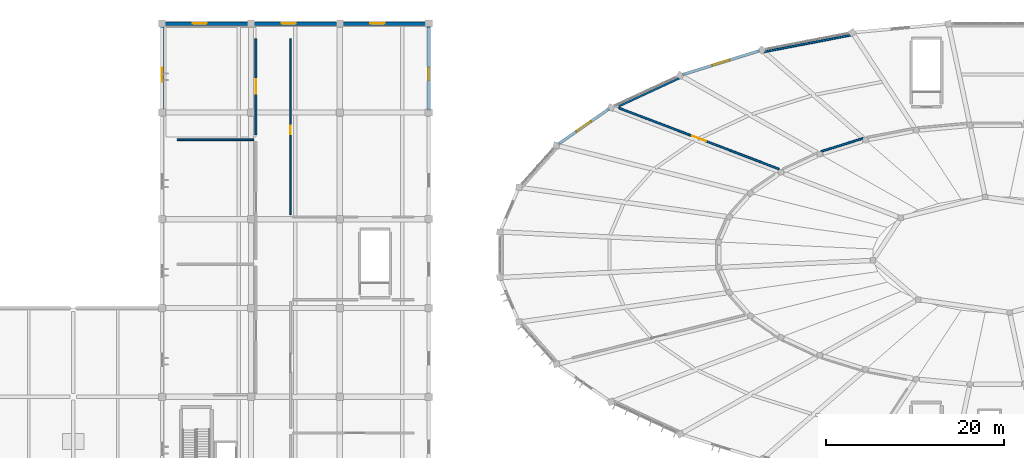
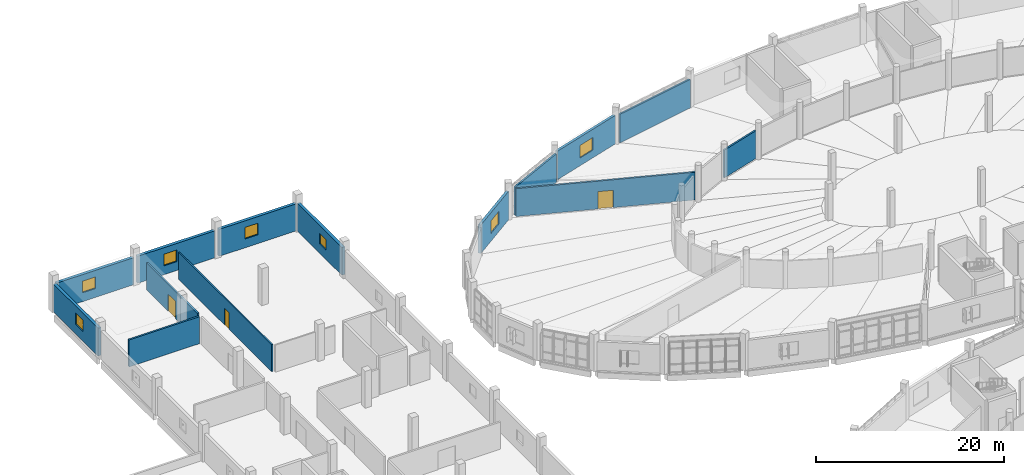
# One storey, part 130 of 179: 14 walls, 7 windows, 3 doors, 10 openings.
"""IFC4 building model written with IfcOpenShell, lengths in metres."""

from ifc_helpers import new_model, si_unit, direction, frame, frame_2d, origin, place, context, subcontext, project, spatial, rectangle, extrude, material, layer, layer_set, type_object, element, fill, save


model = new_model("IFC4")

# Units and contexts
model_context = context("Model", 3, precision=1e-05, world=origin(), true_north=direction((0.0, 1.0)))
body_context = subcontext(model_context, "Body", "Model", "MODEL_VIEW")
ifc_project = project(units=[si_unit("LENGTHUNIT", "METRE"), si_unit("AREAUNIT", "SQUARE_METRE"), si_unit("VOLUMEUNIT", "CUBIC_METRE"), si_unit("PLANEANGLEUNIT", "RADIAN"), si_unit("MASSUNIT", "GRAM", prefix="KILO")], contexts=[model_context])

# Site, building, storey
site_placement = place(None, origin())
site = spatial("IfcSite", under=ifc_project, at=site_placement, CompositionType="ELEMENT")
building_placement = place(site_placement, origin())
building = spatial("IfcBuilding", under=site, at=building_placement, Name="Corvandel Quay Wholesale Market", CompositionType="ELEMENT")
storey_placement = place(building_placement, frame((0.0, 0.0, 6.0)))
storey = spatial("IfcBuildingStorey", under=building, at=storey_placement, Name="L01", CompositionType="ELEMENT", Elevation=6.0)

# Walls
ifc_material_1 = material(Name="Gypsum-clad steel stud framing", Category="steel")
ifc_layer_1 = layer(ifc_material_1, 0.2099609375)
ifc_layer_set_1 = layer_set([ifc_layer_1], Name="Gypsum-clad steel stud framing")
wall_type_1 = type_object("IfcWallType", Name="Corridor Rated Partition PT02 210", PredefinedType="PARTITIONING", material=ifc_layer_set_1)
wall_1_placement = place(storey_placement, frame((87.7529296875, 138.82958984375, 0.0), z_axis=(0.0, 0.0, 1.0), x_axis=(0.982005217115, 0.188853788838, 0.0)))
element("IfcWall", 1, at=wall_1_placement, inside=storey, type_object=wall_type_1, Name="Interior Wall IW-0624", PredefinedType="PARTITIONING", context=body_context, shape_type="SweptSolid", body=[
    extrude(rectangle(XDim=9.91162109375, YDim=0.2099609375, at=frame_2d((4.955810546875, 0.0))), origin(), (0.0, 0.0, 1.0), 3.7099609375),
])
wall_2_placement = place(storey_placement, frame((98.885986328125, 129.093017578125, 0.0), z_axis=(0.0, 0.0, 1.0), x_axis=(-0.955151352883, -0.296118039108, 0.0)))
element("IfcWall", 2, at=wall_2_placement, inside=storey, type_object=wall_type_1, Name="Interior Wall IW-0629", PredefinedType="PARTITIONING", context=body_context, shape_type="SweptSolid", body=[
    extrude(rectangle(XDim=4.970703125, YDim=0.2099609375, at=frame_2d((2.4853515625, 0.0))), origin(), (0.0, 0.0, 1.0), 3.610107421875),
])

# Wall, opening, door
wall_3_placement = place(storey_placement, frame((89.42529296875, 125.641357421875, 0.0), z_axis=(0.0, 0.0, 1.0), x_axis=(-0.934448084308, 0.356099393054, 0.0)))
wall_3 = element("IfcWall", 3, at=wall_3_placement, inside=storey, type_object=wall_type_1, Name="Interior Wall IW-0631", PredefinedType="PARTITIONING", context=body_context, shape_type="SweptSolid", body=[
    extrude(rectangle(XDim=19.31591796875, YDim=0.2099609375, at=frame_2d((9.657958984375, 0.0))), origin(), (0.0, 0.0, 1.0), 3.610107421875),
])
opening_1_placement = place(wall_3_placement, frame((8.80810546875, 0.0, 0.0)))
opening_1 = element("IfcOpeningElement", 4, at=opening_1_placement, cuts=wall_3, Name="Opening L01-D041", PredefinedType="OPENING", context=body_context, shape_type="SweptSolid", body=[
    extrude(rectangle(XDim=1.64990234375, YDim=2.25, at=frame_2d((0.824951171875, 1.125))), frame((0.0, 0.114990234375, 0.0), z_axis=(0.0, -1.0, 0.0), x_axis=(1.0, 0.0, 0.0)), (0.0, 0.0, 1.0), 0.22998046875),
])
ifc_material_2 = material(Name="HPL-faced hygienic timber core", Category="wood")
door_type_1 = type_object("IfcDoorType", Name="Laboratory Double Door ID08 1650x2250", OperationType="DOUBLE_DOOR_SINGLE_SWING", PredefinedType="DOOR", material=ifc_material_2)
door_1_placement = place(opening_1_placement, origin())
door_1 = element("IfcDoor", 5, at=door_1_placement, inside=storey, type_object=door_type_1, Name="Phytosanitary Inspection Laboratory Door", OperationType="DOUBLE_DOOR_SINGLE_SWING", OverallHeight=2.25, OverallWidth=1.64990234375, PredefinedType="DOOR", context=body_context, shape_type="SweptSolid", body=[
    extrude(rectangle(XDim=1.64990234375, YDim=2.25, at=frame_2d((0.824951171875, 1.125))), frame((0.0, 0.02490234375, 0.0), z_axis=(0.0, -1.0, 0.0), x_axis=(1.0, 0.0, 0.0)), (0.0, 0.0, 1.0), 0.050048828125),
])
fill(opening_1, door_1)

# Wall
wall_4_placement = place(storey_placement, frame((71.369384765625, 132.690673828125, 0.0), z_axis=(0.0, 0.0, 1.0), x_axis=(0.907012507318, 0.421103682682, 0.0)))
element("IfcWall", 6, at=wall_4_placement, inside=storey, type_object=wall_type_1, Name="Interior Wall IW-0632", PredefinedType="PARTITIONING", context=body_context, shape_type="SweptSolid", body=[
    extrude(rectangle(XDim=7.527099609375, YDim=0.2099609375, at=frame_2d((3.763671875, 0.0))), origin(), (0.0, 0.0, 1.0), 3.7099609375),
])

# Wall, opening, door
wall_5_placement = place(storey_placement, frame((30.5400390625, 140.330078125, 0.0), z_axis=(0.0, 0.0, 1.0), x_axis=(0.0, -1.0, 0.0)))
wall_5 = element("IfcWall", 7, at=wall_5_placement, inside=storey, type_object=wall_type_1, Name="Interior Wall IW-0829", PredefinedType="PARTITIONING", context=body_context, shape_type="SweptSolid", body=[
    extrude(rectangle(XDim=10.85009765625, YDim=0.2099609375, at=frame_2d((5.425048828125, 0.0))), origin(), (0.0, 0.0, 1.0), 3.510009765625),
])
opening_2_placement = place(wall_5_placement, frame((4.574951171875, 0.0, 0.0)))
opening_2 = element("IfcOpeningElement", 8, at=opening_2_placement, cuts=wall_5, Name="Opening L01-D064", PredefinedType="OPENING", context=body_context, shape_type="SweptSolid", body=[
    extrude(rectangle(XDim=1.64990234375, YDim=2.25, at=frame_2d((0.824951171875, 1.125))), frame((0.0, 0.114990234375, 0.0), z_axis=(0.0, -1.0, 0.0), x_axis=(1.0, 0.0, 0.0)), (0.0, 0.0, 1.0), 0.22998046875),
])
door_2_placement = place(opening_2_placement, origin())
door_2 = element("IfcDoor", 9, at=door_2_placement, inside=storey, type_object=door_type_1, Name="Cold Chain Quality Control Lab V4 Door", OperationType="DOUBLE_DOOR_SINGLE_SWING", OverallHeight=2.25, OverallWidth=1.64990234375, PredefinedType="DOOR", context=body_context, shape_type="SweptSolid", body=[
    extrude(rectangle(XDim=1.64990234375, YDim=2.25, at=frame_2d((0.824951171875, 1.125))), frame((0.0, 0.02490234375, 0.0), z_axis=(0.0, -1.0, 0.0), x_axis=(1.0, 0.0, 0.0)), (0.0, 0.0, 1.0), 0.050048828125),
])
fill(opening_2, door_2)

# Wall, opening, window
ifc_material_3 = material(Name="Marine precast concrete C45/55", Category="concrete")
ifc_layer_2 = layer(ifc_material_3, 0.31005859375)
ifc_layer_set_2 = layer_set([ifc_layer_2], Name="Marine precast concrete C45/55")
wall_type_2 = type_object("IfcWallType", Name="Fish Hall Marine Precast Wall EW06 310", PredefinedType="SOLIDWALL", material=ifc_layer_set_2)
wall_6_placement = place(storey_placement, frame((87.244873046875, 138.969970703125, 0.0), z_axis=(0.0, 0.0, 1.0), x_axis=(-0.955105922322, -0.296264539128, 0.0)))
wall_6 = element("IfcWall", 10, at=wall_6_placement, inside=storey, type_object=wall_type_2, Name="Exterior Wall EW-0111", PredefinedType="SOLIDWALL", context=body_context, shape_type="SweptSolid", body=[
    extrude(rectangle(XDim=9.123291015625, YDim=0.31005859375, at=frame_2d((4.5615234375, 0.0))), origin(), (0.0, 0.0, 1.0), 3.7099609375),
])
opening_3_placement = place(wall_6_placement, frame((3.56201171875, 0.0, 1.0)))
opening_3 = element("IfcOpeningElement", 11, at=opening_3_placement, cuts=wall_6, Name="Opening L01-W034", PredefinedType="OPENING", context=body_context, shape_type="SweptSolid", body=[
    extrude(rectangle(XDim=2.0, YDim=1.64990234375, at=frame_2d((1.0, 0.824951171875))), frame((0.0, 0.1650390625, 0.0), z_axis=(0.0, -1.0, 0.0), x_axis=(1.0, 0.0, 0.0)), (0.0, 0.0, 1.0), 0.330078125),
])
ifc_material_4 = material(Name="Thermally broken bronze anodised aluminium and solar-control low-E double glazing", Category="aluminium")
window_type_1 = type_object("IfcWindowType", Name="Phytosanitary Lab Window WN08 2000x1650", PartitioningType="SINGLE_PANEL", PredefinedType="WINDOW", material=ifc_material_4)
window_1_placement = place(opening_3_placement, origin())
window_1 = element("IfcWindow", 12, at=window_1_placement, inside=storey, type_object=window_type_1, Name="Window L01-W034", OverallHeight=1.64990234375, OverallWidth=2.0, PartitioningType="SINGLE_PANEL", PredefinedType="WINDOW", context=body_context, shape_type="SweptSolid", body=[
    extrude(rectangle(XDim=2.0, YDim=1.64990234375, at=frame_2d((1.0, 0.824951171875))), frame((0.0, 0.030029296875, 0.0), z_axis=(0.0, -1.0, 0.0), x_axis=(1.0, 0.0, 0.0)), (0.0, 0.0, 1.0), 0.06005859375),
])
fill(opening_3, window_1)

wall_7_placement = place(storey_placement, frame((70.304931640625, 132.43701171875, 0.0), z_axis=(0.0, 0.0, 1.0), x_axis=(-0.821263481182, -0.57054911662, 0.0)))
wall_7 = element("IfcWall", 13, at=wall_7_placement, inside=storey, type_object=wall_type_2, Name="Exterior Wall EW-0115", PredefinedType="SOLIDWALL", context=body_context, shape_type="SweptSolid", body=[
    extrude(rectangle(XDim=6.98291015625, YDim=0.31005859375, at=frame_2d((3.491455078125, 0.0))), origin(), (0.0, 0.0, 1.0), 3.7099609375),
])
opening_4_placement = place(wall_7_placement, frame((2.490966796875, 0.0, 1.0)))
opening_4 = element("IfcOpeningElement", 14, at=opening_4_placement, cuts=wall_7, Name="Opening L01-W035", PredefinedType="OPENING", context=body_context, shape_type="SweptSolid", body=[
    extrude(rectangle(XDim=2.0, YDim=1.64990234375, at=frame_2d((1.0, 0.824951171875))), frame((0.0, 0.1650390625, 0.0), z_axis=(0.0, -1.0, 0.0), x_axis=(1.0, 0.0, 0.0)), (0.0, 0.0, 1.0), 0.330078125),
])
window_2_placement = place(opening_4_placement, origin())
window_2 = element("IfcWindow", 15, at=window_2_placement, inside=storey, type_object=window_type_1, Name="Window L01-W035", OverallHeight=1.64990234375, OverallWidth=2.0, PartitioningType="SINGLE_PANEL", PredefinedType="WINDOW", context=body_context, shape_type="SweptSolid", body=[
    extrude(rectangle(XDim=2.0, YDim=1.64990234375, at=frame_2d((1.0, 0.824951171875))), frame((0.0, 0.030029296875, 0.0), z_axis=(0.0, -1.0, 0.0), x_axis=(1.0, 0.0, 0.0)), (0.0, 0.0, 1.0), 0.06005859375),
])
fill(opening_4, window_2)

ifc_material_5 = material(Name="Insulated precast concrete C45/55", Category="concrete")
ifc_layer_3 = layer(ifc_material_5, 0.360107421875)
ifc_layer_set_3 = layer_set([ifc_layer_3], Name="Insulated precast concrete C45/55")
wall_type_3 = type_object("IfcWallType", Name="Ripening Gas-Tight Envelope Wall EW04 360", PredefinedType="SOLIDWALL", material=ifc_layer_set_3)
wall_8_placement = place(storey_placement, frame((20.0, 132.239990234375, 0.0), z_axis=(0.0, 0.0, 1.0), x_axis=(0.0, 1.0, 0.0)))
wall_8 = element("IfcWall", 16, at=wall_8_placement, inside=storey, type_object=wall_type_3, Name="Exterior Wall EW-0303", PredefinedType="SOLIDWALL", context=body_context, shape_type="SweptSolid", body=[
    extrude(rectangle(XDim=9.52001953125, YDim=0.360107421875, at=frame_2d((4.760009765625, 0.0))), origin(), (0.0, 0.0, 1.0), 3.610107421875),
])
opening_5_placement = place(wall_8_placement, frame((3.199951171875, 0.0, 1.199951171875)))
opening_5 = element("IfcOpeningElement", 17, at=opening_5_placement, cuts=wall_8, Name="Opening L01-W074", PredefinedType="OPENING", context=body_context, shape_type="SweptSolid", body=[
    extrude(rectangle(XDim=1.60009765625, YDim=1.5, at=frame_2d((0.800048828125, 0.75))), frame((0.0, 0.18994140625, 0.0), z_axis=(0.0, -1.0, 0.0), x_axis=(1.0, 0.0, 0.0)), (0.0, 0.0, 1.0), 0.380126953125),
])
window_type_2 = type_object("IfcWindowType", Name="Cold Chain Lab Window WN14 1600x1500", PartitioningType="SINGLE_PANEL", PredefinedType="WINDOW", material=ifc_material_4)
window_3_placement = place(opening_5_placement, origin())
window_3 = element("IfcWindow", 18, at=window_3_placement, inside=storey, type_object=window_type_2, Name="Window L01-W074", OverallHeight=1.5, OverallWidth=1.60009765625, PartitioningType="SINGLE_PANEL", PredefinedType="WINDOW", context=body_context, shape_type="SweptSolid", body=[
    extrude(rectangle(XDim=1.60009765625, YDim=1.5, at=frame_2d((0.800048828125, 0.75))), frame((0.0, 0.030029296875, 0.0), z_axis=(0.0, -1.0, 0.0), x_axis=(1.0, 0.0, 0.0)), (0.0, 0.0, 1.0), 0.06005859375),
])
fill(opening_5, window_3)

wall_9_placement = place(storey_placement, frame((50.0, 132.239990234375, 0.0), z_axis=(0.0, 0.0, 1.0), x_axis=(0.0, 1.0, 0.0)))
wall_9 = element("IfcWall", 19, at=wall_9_placement, inside=storey, type_object=wall_type_3, Name="Exterior Wall EW-0305", PredefinedType="SOLIDWALL", context=body_context, shape_type="SweptSolid", body=[
    extrude(rectangle(XDim=9.52001953125, YDim=0.360107421875, at=frame_2d((4.760009765625, 0.0))), origin(), (0.0, 0.0, 1.0), 3.610107421875),
])
opening_6_placement = place(wall_9_placement, frame((3.39990234375, 0.0, 1.199951171875)))
opening_6 = element("IfcOpeningElement", 20, at=opening_6_placement, cuts=wall_9, Name="Opening L01-W075", PredefinedType="OPENING", context=body_context, shape_type="SweptSolid", body=[
    extrude(rectangle(XDim=1.39990234375, YDim=1.35009765625, at=frame_2d((0.699951171875, 0.675048828125))), frame((0.0, 0.18994140625, 0.0), z_axis=(0.0, -1.0, 0.0), x_axis=(1.0, 0.0, 0.0)), (0.0, 0.0, 1.0), 0.380126953125),
])
window_type_3 = type_object("IfcWindowType", Name="Ripening Control Vision Window WN15 1400x1350", PartitioningType="SINGLE_PANEL", PredefinedType="WINDOW", material=ifc_material_4)
window_4_placement = place(opening_6_placement, origin())
window_4 = element("IfcWindow", 21, at=window_4_placement, inside=storey, type_object=window_type_3, Name="Window L01-W075", OverallHeight=1.35009765625, OverallWidth=1.39990234375, PartitioningType="SINGLE_PANEL", PredefinedType="WINDOW", context=body_context, shape_type="SweptSolid", body=[
    extrude(rectangle(XDim=1.39990234375, YDim=1.35009765625, at=frame_2d((0.699951171875, 0.675048828125))), frame((0.0, 0.030029296875, 0.0), z_axis=(0.0, -1.0, 0.0), x_axis=(1.0, 0.0, 0.0)), (0.0, 0.0, 1.0), 0.06005859375),
])
fill(opening_6, window_4)

wall_10_placement = place(storey_placement, frame((20.239990234375, 142.0, 0.0), z_axis=(0.0, 0.0, 1.0), x_axis=(1.0, 0.0, 0.0)))
wall_10 = element("IfcWall", 22, at=wall_10_placement, inside=storey, type_object=wall_type_3, Name="Exterior Wall EW-0309", PredefinedType="SOLIDWALL", context=body_context, shape_type="SweptSolid", body=[
    extrude(rectangle(XDim=9.52001953125, YDim=0.360107421875, at=frame_2d((4.760009765625, 0.0))), origin(), (0.0, 0.0, 1.0), 3.510009765625),
])
opening_7_placement = place(wall_10_placement, frame((3.199951171875, 0.0, 1.14990234375)))
opening_7 = element("IfcOpeningElement", 23, at=opening_7_placement, cuts=wall_10, Name="Opening L01-W077", PredefinedType="OPENING", context=body_context, shape_type="SweptSolid", body=[
    extrude(rectangle(XDim=1.60009765625, YDim=1.5, at=frame_2d((0.800048828125, 0.75))), frame((0.0, 0.18994140625, 0.0), z_axis=(0.0, -1.0, 0.0), x_axis=(1.0, 0.0, 0.0)), (0.0, 0.0, 1.0), 0.380126953125),
])
window_5_placement = place(opening_7_placement, origin())
window_5 = element("IfcWindow", 24, at=window_5_placement, inside=storey, type_object=window_type_2, Name="Window L01-W077", OverallHeight=1.5, OverallWidth=1.60009765625, PartitioningType="SINGLE_PANEL", PredefinedType="WINDOW", context=body_context, shape_type="SweptSolid", body=[
    extrude(rectangle(XDim=1.60009765625, YDim=1.5, at=frame_2d((0.800048828125, 0.75))), frame((0.0, 0.030029296875, 0.0), z_axis=(0.0, -1.0, 0.0), x_axis=(1.0, 0.0, 0.0)), (0.0, 0.0, 1.0), 0.06005859375),
])
fill(opening_7, window_5)

wall_11_placement = place(storey_placement, frame((30.239990234375, 142.0, 0.0), z_axis=(0.0, 0.0, 1.0), x_axis=(1.0, 0.0, 0.0)))
wall_11 = element("IfcWall", 25, at=wall_11_placement, inside=storey, type_object=wall_type_3, Name="Exterior Wall EW-0317", PredefinedType="SOLIDWALL", context=body_context, shape_type="SweptSolid", body=[
    extrude(rectangle(XDim=9.52001953125, YDim=0.360107421875, at=frame_2d((4.760009765625, 0.0))), origin(), (0.0, 0.0, 1.0), 3.510009765625),
])
opening_8_placement = place(wall_11_placement, frame((3.199951171875, 0.0, 1.14990234375)))
opening_8 = element("IfcOpeningElement", 26, at=opening_8_placement, cuts=wall_11, Name="Opening L01-W079", PredefinedType="OPENING", context=body_context, shape_type="SweptSolid", body=[
    extrude(rectangle(XDim=1.60009765625, YDim=1.5, at=frame_2d((0.800048828125, 0.75))), frame((0.0, 0.18994140625, 0.0), z_axis=(0.0, -1.0, 0.0), x_axis=(1.0, 0.0, 0.0)), (0.0, 0.0, 1.0), 0.380126953125),
])
window_6_placement = place(opening_8_placement, origin())
window_6 = element("IfcWindow", 27, at=window_6_placement, inside=storey, type_object=window_type_2, Name="Window L01-W079", OverallHeight=1.5, OverallWidth=1.60009765625, PartitioningType="SINGLE_PANEL", PredefinedType="WINDOW", context=body_context, shape_type="SweptSolid", body=[
    extrude(rectangle(XDim=1.60009765625, YDim=1.5, at=frame_2d((0.800048828125, 0.75))), frame((0.0, 0.030029296875, 0.0), z_axis=(0.0, -1.0, 0.0), x_axis=(1.0, 0.0, 0.0)), (0.0, 0.0, 1.0), 0.06005859375),
])
fill(opening_8, window_6)

wall_12_placement = place(storey_placement, frame((40.239990234375, 142.0, 0.0), z_axis=(0.0, 0.0, 1.0), x_axis=(1.0, 0.0, 0.0)))
wall_12 = element("IfcWall", 28, at=wall_12_placement, inside=storey, type_object=wall_type_3, Name="Exterior Wall EW-0325", PredefinedType="SOLIDWALL", context=body_context, shape_type="SweptSolid", body=[
    extrude(rectangle(XDim=9.52001953125, YDim=0.360107421875, at=frame_2d((4.760009765625, 0.0))), origin(), (0.0, 0.0, 1.0), 3.510009765625),
])
opening_9_placement = place(wall_12_placement, frame((3.199951171875, 0.0, 1.14990234375)))
opening_9 = element("IfcOpeningElement", 29, at=opening_9_placement, cuts=wall_12, Name="Opening L01-W081", PredefinedType="OPENING", context=body_context, shape_type="SweptSolid", body=[
    extrude(rectangle(XDim=1.60009765625, YDim=1.5, at=frame_2d((0.800048828125, 0.75))), frame((0.0, 0.18994140625, 0.0), z_axis=(0.0, -1.0, 0.0), x_axis=(1.0, 0.0, 0.0)), (0.0, 0.0, 1.0), 0.380126953125),
])
window_7_placement = place(opening_9_placement, origin())
window_7 = element("IfcWindow", 30, at=window_7_placement, inside=storey, type_object=window_type_2, Name="Window L01-W081", OverallHeight=1.5, OverallWidth=1.60009765625, PartitioningType="SINGLE_PANEL", PredefinedType="WINDOW", context=body_context, shape_type="SweptSolid", body=[
    extrude(rectangle(XDim=1.60009765625, YDim=1.5, at=frame_2d((0.800048828125, 0.75))), frame((0.0, 0.030029296875, 0.0), z_axis=(0.0, -1.0, 0.0), x_axis=(1.0, 0.0, 0.0)), (0.0, 0.0, 1.0), 0.06005859375),
])
fill(opening_9, window_7)

# Wall
ifc_material_6 = material(Name="Gas-tight stainless insulated panel")
ifc_layer_4 = layer(ifc_material_6, 0.219970703125)
ifc_layer_set_4 = layer_set([ifc_layer_4], Name="Gas-tight stainless insulated panel")
wall_type_4 = type_object("IfcWallType", Name="Ripening Gas-Tight Partition PT04 220", PredefinedType="PARTITIONING", material=ifc_layer_set_4)
wall_13_placement = place(storey_placement, frame((21.669921875, 128.93994140625, 0.0), z_axis=(0.0, 0.0, 1.0), x_axis=(1.0, 0.0, 0.0)))
element("IfcWall", 31, at=wall_13_placement, inside=storey, type_object=wall_type_4, Name="Interior Wall IW-0807", PredefinedType="PARTITIONING", context=body_context, shape_type="SweptSolid", body=[
    extrude(rectangle(XDim=8.650146484375, YDim=0.219970703125, at=frame_2d((4.3251953125, 0.0))), origin(), (0.0, 0.0, 1.0), 3.510009765625),
])

# Wall, opening, door
ifc_material_7 = material(Name="Moisture-resistant tile-backer partition")
ifc_layer_5 = layer(ifc_material_7, 0.159912109375)
ifc_layer_set_5 = layer_set([ifc_layer_5], Name="Moisture-resistant tile-backer partition")
wall_type_5 = type_object("IfcWallType", Name="Sanitary Tile Partition PT06 160", PredefinedType="PARTITIONING", material=ifc_layer_set_5)
wall_14_placement = place(storey_placement, frame((34.4599609375, 120.47998046875, 0.0), z_axis=(0.0, 0.0, 1.0), x_axis=(0.0, 1.0, 0.0)))
wall_14 = element("IfcWall", 32, at=wall_14_placement, inside=storey, type_object=wall_type_5, Name="Interior Wall IW-0830", PredefinedType="PARTITIONING", context=body_context, shape_type="SweptSolid", body=[
    extrude(rectangle(XDim=19.85009765625, YDim=0.159912109375, at=frame_2d((9.925048828125, 0.0))), origin(), (0.0, 0.0, 1.0), 3.510009765625),
])
opening_10_placement = place(wall_14_placement, frame((9.074951171875, 0.0, 0.0)))
opening_10 = element("IfcOpeningElement", 33, at=opening_10_placement, cuts=wall_14, Name="Opening L01-D065", PredefinedType="OPENING", context=body_context, shape_type="SweptSolid", body=[
    extrude(rectangle(XDim=0.949951171875, YDim=2.14990234375, at=frame_2d((0.47509765625, 1.074951171875))), frame((0.0, 0.08984375, 0.0), z_axis=(0.0, -1.0, 0.0), x_axis=(1.0, 0.0, 0.0)), (0.0, 0.0, 1.0), 0.179931640625),
])
ifc_material_8 = material(Name="Moisture-resistant HPL solid core")
door_type_2 = type_object("IfcDoorType", Name="Accessible Restroom Door ID13 950x2150L", OperationType="SINGLE_SWING_LEFT", PredefinedType="DOOR", material=ifc_material_8)
door_3_placement = place(opening_10_placement, origin())
door_3 = element("IfcDoor", 34, at=door_3_placement, inside=storey, type_object=door_type_2, Name="Public Accessible Toilet and Staff WC V4 Door", OperationType="SINGLE_SWING_LEFT", OverallHeight=2.14990234375, OverallWidth=0.949951171875, PredefinedType="DOOR", context=body_context, shape_type="SweptSolid", body=[
    extrude(rectangle(XDim=0.949951171875, YDim=2.14990234375, at=frame_2d((0.47509765625, 1.074951171875))), frame((0.0, 0.02490234375, 0.0), z_axis=(0.0, -1.0, 0.0), x_axis=(1.0, 0.0, 0.0)), (0.0, 0.0, 1.0), 0.050048828125),
])
fill(opening_10, door_3)

save(model, "model.ifc")
